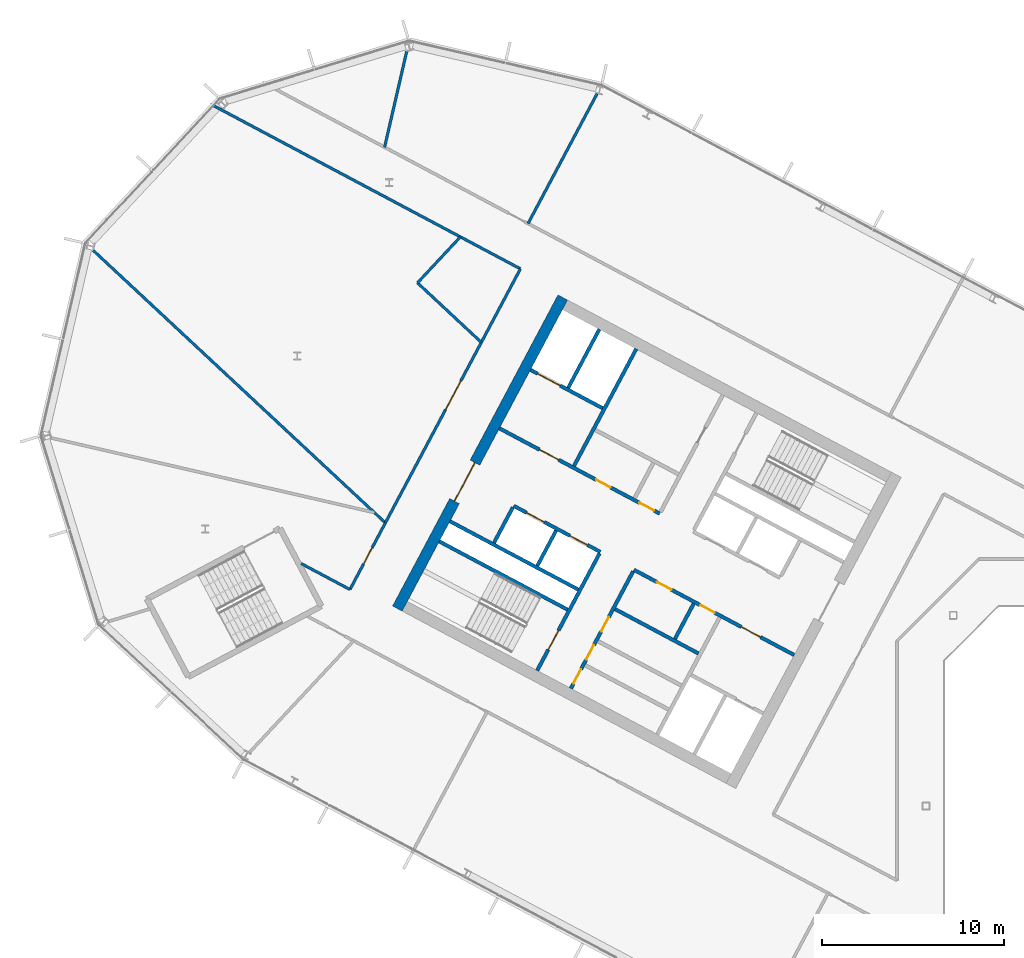
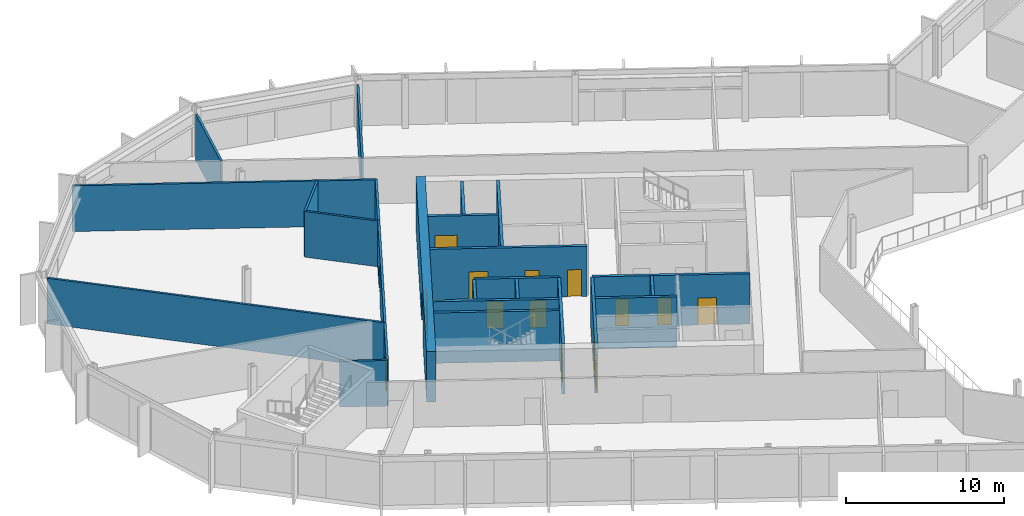
# One storey, part 13 of 26: 24 walls, 16 doors, 16 openings.
"""IFC4 building model written with IfcOpenShell, lengths in metres."""

import ifcopenshell
import ifcopenshell.guid

model = None  # the IFC model being written
_history = None  # IfcOwnerHistory: only IFC2X3 demands one
_inside = {}  # id of a spatial element -> (the spatial element, [elements in it])
_under = {}  # id of a project, library or spatial element -> (it, [spatial elements below it])
_declared = {}  # id of a project -> (the project, [libraries it declares])
_typed = {}  # id of a type object -> (the type object, [elements of that type])
_made_of = {}  # id of a material, layer set ... -> (it, [elements and type objects made of it])


def new_model(schema):
    """Start an empty IFC model of exactly this schema.

    Asked for "IFC4X3", IfcOpenShell would pick the latest addendum, in which some entities
    have other attributes; the version numbers below select the first issue.
    IFC2X3 requires an IfcOwnerHistory on every rooted entity: one is made here for all.
    """
    global model, _history
    if schema == "IFC4X3":
        model = ifcopenshell.file(schema_version=(4, 3, 0, 0))
    else:
        model = ifcopenshell.file(schema=schema)
    _inside.clear()
    _under.clear()
    _declared.clear()
    _typed.clear()
    _made_of.clear()
    _history = None
    if model.schema == "IFC2X3":
        org = make("IfcOrganization", Name="unknown")
        user = make(
            "IfcPersonAndOrganization",
            ThePerson=make("IfcPerson", FamilyName="unknown"),
            TheOrganization=org,
        )
        app = make(
            "IfcApplication",
            ApplicationDeveloper=org,
            Version="unknown",
            ApplicationFullName="unknown",
            ApplicationIdentifier="unknown",
        )
        _history = make(
            "IfcOwnerHistory",
            OwningUser=user,
            OwningApplication=app,
            ChangeAction="ADDED",
            CreationDate=0,
        )
    return model


def make(cls, **values):
    """One entity of the class cls with the attributes given. An attribute that is None is left unset."""
    return model.create_entity(
        cls, **{name: value for name, value in values.items() if value is not None}
    )


def rooted(cls, **values):
    """An entity with a GlobalId (a new one), such as an element, a storey or a relation."""
    return make(cls, GlobalId=ifcopenshell.guid.new(), OwnerHistory=_history, **values)


def si_unit(unit_type, name, prefix=None):
    """IfcSIUnit, for example si_unit("LENGTHUNIT", "METRE", prefix="MILLI")."""
    return make("IfcSIUnit", UnitType=unit_type, Prefix=prefix, Name=name)


def assignment(units):
    """IfcUnitAssignment: the units of a project."""
    return None if units is None else make("IfcUnitAssignment", Units=units)


def point(xyz):
    """IfcCartesianPoint."""
    return None if xyz is None else make("IfcCartesianPoint", Coordinates=xyz)


def direction(xyz):
    """IfcDirection."""
    return None if xyz is None else make("IfcDirection", DirectionRatios=xyz)


def frame(location, z_axis=None, x_axis=None):
    """IfcAxis2Placement3D, a coordinate frame: its origin and axes. An axis left out is left unset."""
    return make(
        "IfcAxis2Placement3D",
        Location=point(location),
        Axis=direction(z_axis),
        RefDirection=direction(x_axis),
    )


def frame_2d(location, x_axis=None):
    """IfcAxis2Placement2D, a coordinate frame in the plane: its origin and x axis."""
    return make(
        "IfcAxis2Placement2D", Location=point(location), RefDirection=direction(x_axis)
    )


def origin():
    """The frame at (0, 0, 0) with its axes left unset."""
    return frame((0.0, 0.0, 0.0))


def place(relative_to, where):
    """IfcLocalPlacement: puts the frame where relative to a parent placement (None: the world)."""
    return make(
        "IfcLocalPlacement", PlacementRelTo=relative_to, RelativePlacement=where
    )


def context(
    kind, dimensions, precision=None, world=None, true_north=None, identifier=None
):
    """IfcGeometricRepresentationContext, for example the 3D "Model" context."""
    return make(
        "IfcGeometricRepresentationContext",
        ContextIdentifier=identifier,
        ContextType=kind,
        CoordinateSpaceDimension=dimensions,
        Precision=precision,
        WorldCoordinateSystem=world,
        TrueNorth=true_north,
    )


def subcontext(parent, identifier, kind, view, scale=None):
    """IfcGeometricRepresentationSubContext, for example "Body" below "Model"."""
    return make(
        "IfcGeometricRepresentationSubContext",
        ContextIdentifier=identifier,
        ContextType=kind,
        ParentContext=parent,
        TargetScale=scale,
        TargetView=view,
    )


def project(units=None, contexts=None):
    """IfcProject with its units and contexts."""
    return rooted(
        "IfcProject",
        Name="project",
        RepresentationContexts=contexts,
        UnitsInContext=assignment(units),
    )


def spatial(cls, under=None, at=None, **own):
    """A site, building, storey or space (cls), placed at a placement, below another one or the project."""
    s = rooted(cls, ObjectPlacement=at, **own)
    if under is not None:
        _under.setdefault(under.id(), (under, []))[1].append(s)
    return s


def profile(cls, at=None, kind="AREA", **sizes):
    """A parametric profile (cls). Its sizes go by their IFC names, for example OverallWidth=200.0."""
    return make(cls, ProfileType=kind, Position=at, **sizes)


def rectangle(**sizes):
    """IfcRectangleProfileDef."""
    return profile("IfcRectangleProfileDef", **sizes)


def extrude(swept, where, along, depth):
    """IfcExtrudedAreaSolid: the profile swept, set in the frame where, extruded along a direction by depth."""
    return make(
        "IfcExtrudedAreaSolid",
        SweptArea=swept,
        Position=where,
        ExtrudedDirection=direction(along),
        Depth=depth,
    )


def shape(context_of_items, identifier, shape_type, items):
    """IfcShapeRepresentation: the items that make up one representation, for example the "Body"."""
    return make(
        "IfcShapeRepresentation",
        ContextOfItems=context_of_items,
        RepresentationIdentifier=identifier,
        RepresentationType=shape_type,
        Items=items,
    )


def material(Name=None, Category=None):
    """IfcMaterial."""
    return make("IfcMaterial", Name=Name, Category=Category)


def layer(
    of_material, thickness, ventilated=None, Name=None, Category=None, Priority=None
):
    """IfcMaterialLayer: one layer of a wall or slab, of a material (None: an air gap)."""
    return make(
        "IfcMaterialLayer",
        Material=of_material,
        LayerThickness=thickness,
        IsVentilated=ventilated,
        Name=Name,
        Category=Category,
        Priority=Priority,
    )


def layer_set(layers, Name=None):
    """IfcMaterialLayerSet."""
    return make("IfcMaterialLayerSet", MaterialLayers=layers, LayerSetName=Name)


def made_of(thing, what):
    """Note that an element or type object is made of a material, layer set ...; save() writes the relation."""
    if what is not None:
        _made_of.setdefault(what.id(), (what, []))[1].append(thing)
    return thing


def type_object(cls, material=None, **own):
    """A type object (cls), such as IfcWallType, which elements share."""
    return made_of(rooted(cls, **own), material)


def element(
    cls,
    number,
    at=None,
    inside=None,
    cuts=None,
    type_object=None,
    material=None,
    context=None,
    identifier="Body",
    shape_type=None,
    held_by="IfcProductDefinitionShape",
    body=None,
    shapes=None,
    **own,
):
    """One element of the class cls, such as IfcWall. Its Tag is "e" and its number.

    at: its placement. inside: the storey or other place that contains it. cuts: it is an
    opening in that element (IfcRelVoidsElement). A single representation is given by context,
    identifier, shape_type and body (its items); several are given by shapes. held_by: the class
    of the entity that holds the representations. save() writes the other relations.
    """
    e = rooted(cls, Tag="e%d" % number, ObjectPlacement=at, **own)
    if body is not None:
        shapes = [shape(context, identifier, shape_type, body)]
    if shapes is not None:
        e.Representation = make(held_by, Representations=shapes)
    if inside is not None:
        _inside.setdefault(inside.id(), (inside, []))[1].append(e)
    if cuts is not None:
        rooted(
            "IfcRelVoidsElement", RelatingBuildingElement=cuts, RelatedOpeningElement=e
        )
    if type_object is not None:
        _typed.setdefault(type_object.id(), (type_object, []))[1].append(e)
    return made_of(e, material)


def fill(opening, filler):
    """IfcRelFillsElement: the door or window that sits in an opening."""
    return rooted(
        "IfcRelFillsElement",
        RelatingOpeningElement=opening,
        RelatedBuildingElement=filler,
    )


def aggregate(whole, parts):
    """IfcRelAggregates: a whole, such as a stair, and the parts it consists of."""
    return rooted("IfcRelAggregates", RelatingObject=whole, RelatedObjects=parts)


def save(model, path):
    """Write the relations noted so far, then the file.

    IfcRelAggregates (storeys below a building ...), IfcRelContainedInSpatialStructure (elements
    in a storey), IfcRelDefinesByType, IfcRelAssociatesMaterial and IfcRelDeclares: one each for
    every whole, place, type object, material and project.
    """
    for whole, parts in _under.values():
        aggregate(whole, parts)
    for where, things in _inside.values():
        rooted(
            "IfcRelContainedInSpatialStructure",
            RelatedElements=things,
            RelatingStructure=where,
        )
    for kind, things in _typed.values():
        rooted("IfcRelDefinesByType", RelatedObjects=things, RelatingType=kind)
    for what, things in _made_of.values():
        rooted("IfcRelAssociatesMaterial", RelatedObjects=things, RelatingMaterial=what)
    for by, libraries in _declared.values():
        rooted("IfcRelDeclares", RelatingContext=by, RelatedDefinitions=libraries)
    model.write(path)


model = new_model("IFC4")

# Units and contexts
model_context = context("Model", 3, precision=1e-05, world=origin(), true_north=direction((0.0, 1.0)))
body_context = subcontext(model_context, "Body", "Model", "MODEL_VIEW")
ifc_project = project(units=[si_unit("LENGTHUNIT", "METRE"), si_unit("AREAUNIT", "SQUARE_METRE"), si_unit("VOLUMEUNIT", "CUBIC_METRE"), si_unit("PLANEANGLEUNIT", "RADIAN"), si_unit("MASSUNIT", "GRAM", prefix="KILO")], contexts=[model_context])

# Site, building, storey
site_placement = place(None, origin())
site = spatial("IfcSite", under=ifc_project, at=site_placement, CompositionType="ELEMENT")
building_placement = place(site_placement, origin())
building = spatial("IfcBuilding", under=site, at=building_placement, Name="Cormorant Relay Tower", CompositionType="ELEMENT")
storey_placement = place(building_placement, frame((0.0, 0.0, 236.39990234375)))
storey = spatial("IfcBuildingStorey", under=building, at=storey_placement, Name="L52", CompositionType="ELEMENT", Elevation=236.39990234375)

# Walls
ifc_material_1 = material(Name="Concrete 40 MPa", Category="concrete")
ifc_layer_1 = layer(ifc_material_1, 0.199951171875)
ifc_layer_set_1 = layer_set([ifc_layer_1], Name="Core internal wall 200")
wall_type_1 = type_object("IfcWallType", Name="Core internal wall 200", PredefinedType="SOLIDWALL", material=ifc_layer_set_1)
for number, where, z_axis, x_axis, name in (
    (1, (-24.79052734375, 11.142822265625, 0.0), (0.0, 0.0, 1.0), (-0.469487830541, -0.882938942948, 0.0), "L52 core A shaft and room wall"),
    (2, (-32.3662109375, 15.1708984375, 0.0), (0.0, 0.0, 1.0), (-0.469487830541, -0.882938942948, 0.0), "L52 core A shaft and room wall"),
):
    element("IfcWall", number, at=place(storey_placement, frame(where, z_axis=z_axis, x_axis=x_axis)), inside=storey, type_object=wall_type_1, Name=name, PredefinedType="SOLIDWALL", context=body_context, shape_type="SweptSolid", body=[
        extrude(rectangle(XDim=2.2001953125, YDim=0.199951171875, at=frame_2d((1.10009765625, 0.0))), origin(), (0.0, 0.0, 1.0), 3.900146484375),
    ])

# Wall, openings, doors
ifc_material_2 = material(Name="Concrete 50 MPa", Category="concrete")
ifc_layer_2 = layer(ifc_material_2, 0.199951171875)
ifc_layer_set_2 = layer_set([ifc_layer_2], Name="Core shaft wall 200")
wall_type_2 = type_object("IfcWallType", Name="Core shaft wall 200", PredefinedType="SHEAR", material=ifc_layer_set_2)
wall_1_placement = place(storey_placement, frame((-28.128173828125, 12.91748046875, 0.0), z_axis=(0.0, 0.0, 1.0), x_axis=(-0.469454336211, -0.882956752176, 0.0)))
wall_1 = element("IfcWall", 3, at=wall_1_placement, inside=storey, type_object=wall_type_2, Name="L52 core A shaft wall", PredefinedType="SHEAR", context=body_context, shape_type="SweptSolid", body=[
    extrude(rectangle(XDim=7.300048828125, YDim=0.199951171875, at=frame_2d((3.64990234375, 0.0))), origin(), (0.0, 0.0, 1.0), 3.900146484375),
])
opening_1_placement = place(wall_1_placement, frame((2.85009765625, 0.0, 0.0)))
opening_1 = element("IfcOpeningElement", 4, at=opening_1_placement, cuts=wall_1, Name="Opening CDD-289", PredefinedType="OPENING", context=body_context, shape_type="SweptSolid", body=[
    extrude(rectangle(XDim=0.89990234375, YDim=2.10009765625, at=frame_2d((0.449951171875, 1.050048828125))), frame((0.0, 0.10986328125, 0.0), z_axis=(0.0, -1.0, 0.0), x_axis=(1.0, 0.0, 0.0)), (0.0, 0.0, 1.0), 0.219970703125),
])
opening_2_placement = place(wall_1_placement, frame((4.60009765625, 0.0, 0.0)))
opening_2 = element("IfcOpeningElement", 5, at=opening_2_placement, cuts=wall_1, Name="Opening CDD-290", PredefinedType="OPENING", context=body_context, shape_type="SweptSolid", body=[
    extrude(rectangle(XDim=0.89990234375, YDim=2.10009765625, at=frame_2d((0.449951171875, 1.050048828125))), frame((0.0, 0.10986328125, 0.0), z_axis=(0.0, -1.0, 0.0), x_axis=(1.0, 0.0, 0.0)), (0.0, 0.0, 1.0), 0.219970703125),
])
opening_3_placement = place(wall_1_placement, frame((6.10009765625, 0.0, 0.0)))
opening_3 = element("IfcOpeningElement", 6, at=opening_3_placement, cuts=wall_1, Name="Opening CDD-291", PredefinedType="OPENING", context=body_context, shape_type="SweptSolid", body=[
    extrude(rectangle(XDim=0.89990234375, YDim=2.10009765625, at=frame_2d((0.449951171875, 1.050048828125))), frame((0.0, 0.10986328125, 0.0), z_axis=(0.0, -1.0, 0.0), x_axis=(1.0, 0.0, 0.0)), (0.0, 0.0, 1.0), 0.219970703125),
])
ifc_material_3 = material(Name="Steel fire door", Category="steel")
door_type_1 = type_object("IfcDoorType", Name="Core room door 900x2100", OperationType="SINGLE_SWING_LEFT", PredefinedType="DOOR", material=ifc_material_3)
door_1_placement = place(opening_1_placement, origin())
door_1 = element("IfcDoor", 7, at=door_1_placement, inside=storey, type_object=door_type_1, Name="Core room door 900x2100", OperationType="SINGLE_SWING_LEFT", OverallHeight=2.10009765625, OverallWidth=0.89990234375, PredefinedType="DOOR", context=body_context, shape_type="SweptSolid", body=[
    extrude(rectangle(XDim=0.89990234375, YDim=2.10009765625, at=frame_2d((0.449951171875, 1.050048828125))), frame((0.0, 0.02490234375, 0.0), z_axis=(0.0, -1.0, 0.0), x_axis=(1.0, 0.0, 0.0)), (0.0, 0.0, 1.0), 0.050048828125),
])
fill(opening_1, door_1)
door_2_placement = place(opening_2_placement, origin())
door_2 = element("IfcDoor", 8, at=door_2_placement, inside=storey, type_object=door_type_1, Name="Core room door 900x2100", OperationType="SINGLE_SWING_LEFT", OverallHeight=2.10009765625, OverallWidth=0.89990234375, PredefinedType="DOOR", context=body_context, shape_type="SweptSolid", body=[
    extrude(rectangle(XDim=0.89990234375, YDim=2.10009765625, at=frame_2d((0.449951171875, 1.050048828125))), frame((0.0, 0.02490234375, 0.0), z_axis=(0.0, -1.0, 0.0), x_axis=(1.0, 0.0, 0.0)), (0.0, 0.0, 1.0), 0.050048828125),
])
fill(opening_2, door_2)
door_3_placement = place(opening_3_placement, origin())
door_3 = element("IfcDoor", 9, at=door_3_placement, inside=storey, type_object=door_type_1, Name="Core room door 900x2100", OperationType="SINGLE_SWING_LEFT", OverallHeight=2.10009765625, OverallWidth=0.89990234375, PredefinedType="DOOR", context=body_context, shape_type="SweptSolid", body=[
    extrude(rectangle(XDim=0.89990234375, YDim=2.10009765625, at=frame_2d((0.449951171875, 1.050048828125))), frame((0.0, 0.02490234375, 0.0), z_axis=(0.0, -1.0, 0.0), x_axis=(1.0, 0.0, 0.0)), (0.0, 0.0, 1.0), 0.050048828125),
])
fill(opening_3, door_3)

# Wall, opening, door
wall_2_placement = place(storey_placement, frame((-29.982421875, 13.9033203125, 0.0), z_axis=(0.0, 0.0, 1.0), x_axis=(-0.469454336211, -0.882956752176, 0.0)))
wall_2 = element("IfcWall", 10, at=wall_2_placement, inside=storey, type_object=wall_type_2, Name="L52 core A shaft wall", PredefinedType="SHEAR", context=body_context, shape_type="SweptSolid", body=[
    extrude(rectangle(XDim=7.300048828125, YDim=0.199951171875, at=frame_2d((3.64990234375, 0.0))), origin(), (0.0, 0.0, 1.0), 3.900146484375),
])
opening_4_placement = place(wall_2_placement, frame((4.800048828125, 0.0, 0.0)))
opening_4 = element("IfcOpeningElement", 11, at=opening_4_placement, cuts=wall_2, Name="Opening CDB-039", PredefinedType="OPENING", context=body_context, shape_type="SweptSolid", body=[
    extrude(rectangle(XDim=1.199951171875, YDim=2.10009765625, at=frame_2d((0.60009765625, 1.050048828125))), frame((0.0, 0.10986328125, 0.0), z_axis=(0.0, -1.0, 0.0), x_axis=(1.0, 0.0, 0.0)), (0.0, 0.0, 1.0), 0.219970703125),
])
ifc_material_4 = material(Name="Steel fire door", Category="steel")
door_type_2 = type_object("IfcDoorType", Name="Core stair door 1200x2100", OperationType="SINGLE_SWING_LEFT", PredefinedType="DOOR", material=ifc_material_4)
door_4_placement = place(opening_4_placement, frame((1.199951171875, 0.0, 0.0), z_axis=(0.0, 0.0, 1.0), x_axis=(-1.0, 0.0, 0.0)))
door_4 = element("IfcDoor", 12, at=door_4_placement, inside=storey, type_object=door_type_2, Name="Core stair door 1200x2100", OperationType="SINGLE_SWING_RIGHT", OverallHeight=2.10009765625, OverallWidth=1.199951171875, PredefinedType="DOOR", context=body_context, shape_type="SweptSolid", body=[
    extrude(rectangle(XDim=1.199951171875, YDim=2.10009765625, at=frame_2d((0.60009765625, 1.050048828125))), frame((0.0, 0.02490234375, 0.0), z_axis=(0.0, -1.0, 0.0), x_axis=(1.0, 0.0, 0.0)), (0.0, 0.0, 1.0), 0.050048828125),
])
fill(opening_4, door_4)

# Walls
wall_3_placement = place(storey_placement, frame((-27.955322265625, 25.170654296875, 0.0), z_axis=(0.0, 0.0, 1.0), x_axis=(-0.469480409012, -0.88294288918, 0.0)))
element("IfcWall", 13, at=wall_3_placement, inside=storey, type_object=wall_type_2, Name="L52 core A shaft wall", PredefinedType="SHEAR", context=body_context, shape_type="SweptSolid", body=[
    extrude(rectangle(XDim=7.300048828125, YDim=0.199951171875, at=frame_2d((3.64990234375, 0.0))), origin(), (0.0, 0.0, 1.0), 3.900146484375),
])
wall_4_placement = place(storey_placement, frame((-34.750244140625, 16.4384765625, 0.0), z_axis=(0.0, 0.0, 1.0), x_axis=(-0.469401318492, -0.882984938828, 0.0)))
element("IfcWall", 14, at=wall_4_placement, inside=storey, type_object=wall_type_2, Name="L52 core A shaft wall", PredefinedType="SHEAR", context=body_context, shape_type="SweptSolid", body=[
    extrude(rectangle(XDim=2.199951171875, YDim=0.199951171875, at=frame_2d((1.10009765625, 0.0))), origin(), (0.0, 0.0, 1.0), 3.900146484375),
])
wall_5_placement = place(storey_placement, frame((-29.986083984375, 26.250244140625, 0.0), z_axis=(0.0, 0.0, 1.0), x_axis=(-0.469494272526, -0.882935517501, 0.0)))
element("IfcWall", 15, at=wall_5_placement, inside=storey, type_object=wall_type_2, Name="L52 core A shaft wall", PredefinedType="SHEAR", context=body_context, shape_type="SweptSolid", body=[
    extrude(rectangle(XDim=3.64990234375, YDim=0.199951171875, at=frame_2d((1.824951171875, 0.0))), origin(), (0.0, 0.0, 1.0), 3.900146484375),
])

# Wall, opening, door
wall_6_placement = place(storey_placement, frame((-29.80419921875, 21.906494140625, 0.0), z_axis=(0.0, 0.0, 1.0), x_axis=(-0.882960433586, 0.469447412093, 0.0)))
wall_6 = element("IfcWall", 16, at=wall_6_placement, inside=storey, type_object=wall_type_2, Name="L52 core A shaft wall", PredefinedType="SHEAR", context=body_context, shape_type="SweptSolid", body=[
    extrude(rectangle(XDim=4.5, YDim=0.199951171875, at=frame_2d((2.25, 0.0))), origin(), (0.0, 0.0, 1.0), 3.900146484375),
])
opening_5_placement = place(wall_6_placement, frame((2.64990234375, 0.0, 0.0)))
opening_5 = element("IfcOpeningElement", 17, at=opening_5_placement, cuts=wall_6, Name="Opening LD3-015", PredefinedType="OPENING", context=body_context, shape_type="SweptSolid", body=[
    extrude(rectangle(XDim=1.39990234375, YDim=2.39990234375, at=frame_2d((0.699951171875, 1.199951171875))), frame((0.0, 0.10986328125, 0.0), z_axis=(0.0, -1.0, 0.0), x_axis=(1.0, 0.0, 0.0)), (0.0, 0.0, 1.0), 0.219970703125),
])
ifc_material_5 = material(Name="Stainless steel 316", Category="steel")
door_type_3 = type_object("IfcDoorType", Name="Lift landing door 1400x2400", OperationType="DOUBLE_DOOR_SLIDING", PredefinedType="DOOR", material=ifc_material_5)
door_5_placement = place(opening_5_placement, origin())
door_5 = element("IfcDoor", 18, at=door_5_placement, inside=storey, type_object=door_type_3, Name="SV1 landing door", OperationType="DOUBLE_DOOR_SLIDING", OverallHeight=2.39990234375, OverallWidth=1.39990234375, PredefinedType="DOOR", context=body_context, shape_type="SweptSolid", body=[
    extrude(rectangle(XDim=1.39990234375, YDim=2.39990234375, at=frame_2d((0.699951171875, 1.199951171875))), frame((0.0, 0.02490234375, 0.0), z_axis=(0.0, -1.0, 0.0), x_axis=(1.0, 0.0, 0.0)), (0.0, 0.0, 1.0), 0.050048828125),
])
fill(opening_5, door_5)

# Wall, openings, doors
wall_7_placement = place(storey_placement, frame((-26.66162109375, 16.1015625, 0.0), z_axis=(0.0, 0.0, 1.0), x_axis=(-0.882940221191, 0.469485426614, 0.0)))
wall_7 = element("IfcWall", 19, at=wall_7_placement, inside=storey, type_object=wall_type_2, Name="L52 core A shaft wall", PredefinedType="SHEAR", context=body_context, shape_type="SweptSolid", body=[
    extrude(rectangle(XDim=10.0, YDim=0.199951171875, at=frame_2d((5.0, 0.0))), origin(), (0.0, 0.0, 1.0), 3.900146484375),
])
opening_6_placement = place(wall_7_placement, frame((6.300048828125, 0.0, 0.0)))
opening_6 = element("IfcOpeningElement", 20, at=opening_6_placement, cuts=wall_7, Name="Opening CDC-034", PredefinedType="OPENING", context=body_context, shape_type="SweptSolid", body=[
    extrude(rectangle(XDim=1.199951171875, YDim=2.10009765625, at=frame_2d((0.60009765625, 1.050048828125))), frame((0.0, 0.10986328125, 0.0), z_axis=(0.0, -1.0, 0.0), x_axis=(1.0, 0.0, 0.0)), (0.0, 0.0, 1.0), 0.219970703125),
])
opening_7_placement = place(wall_7_placement, frame((0.360107421875, 0.0, 0.0)))
opening_7 = element("IfcOpeningElement", 21, at=opening_7_placement, cuts=wall_7, Name="Opening CDD-234", PredefinedType="OPENING", context=body_context, shape_type="SweptSolid", body=[
    extrude(rectangle(XDim=0.89990234375, YDim=2.10009765625, at=frame_2d((0.449951171875, 1.050048828125))), frame((0.0, 0.10986328125, 0.0), z_axis=(0.0, -1.0, 0.0), x_axis=(1.0, 0.0, 0.0)), (0.0, 0.0, 1.0), 0.219970703125),
])
opening_8_placement = place(wall_7_placement, frame((3.06005859375, 0.0, 0.0)))
opening_8 = element("IfcOpeningElement", 22, at=opening_8_placement, cuts=wall_7, Name="Opening CDD-288", PredefinedType="OPENING", context=body_context, shape_type="SweptSolid", body=[
    extrude(rectangle(XDim=0.89990234375, YDim=2.10009765625, at=frame_2d((0.449951171875, 1.050048828125))), frame((0.0, 0.10986328125, 0.0), z_axis=(0.0, -1.0, 0.0), x_axis=(1.0, 0.0, 0.0)), (0.0, 0.0, 1.0), 0.219970703125),
])
ifc_material_6 = material(Name="Steel fire door", Category="steel")
door_type_4 = type_object("IfcDoorType", Name="Core lobby door 1200x2100", OperationType="SINGLE_SWING_LEFT", PredefinedType="DOOR", material=ifc_material_6)
door_6_placement = place(opening_6_placement, origin())
door_6 = element("IfcDoor", 23, at=door_6_placement, inside=storey, type_object=door_type_4, Name="Core lobby door 1200x2100", OperationType="SINGLE_SWING_LEFT", OverallHeight=2.10009765625, OverallWidth=1.199951171875, PredefinedType="DOOR", context=body_context, shape_type="SweptSolid", body=[
    extrude(rectangle(XDim=1.199951171875, YDim=2.10009765625, at=frame_2d((0.60009765625, 1.050048828125))), frame((0.0, 0.02490234375, 0.0), z_axis=(0.0, -1.0, 0.0), x_axis=(1.0, 0.0, 0.0)), (0.0, 0.0, 1.0), 0.050048828125),
])
fill(opening_6, door_6)
door_7_placement = place(opening_7_placement, frame((0.89990234375, 0.0, 0.0), z_axis=(0.0, 0.0, 1.0), x_axis=(-1.0, 0.0, 0.0)))
door_7 = element("IfcDoor", 24, at=door_7_placement, inside=storey, type_object=door_type_1, Name="Core room door 900x2100", OperationType="SINGLE_SWING_RIGHT", OverallHeight=2.10009765625, OverallWidth=0.89990234375, PredefinedType="DOOR", context=body_context, shape_type="SweptSolid", body=[
    extrude(rectangle(XDim=0.89990234375, YDim=2.10009765625, at=frame_2d((0.449951171875, 1.050048828125))), frame((0.0, 0.02490234375, 0.0), z_axis=(0.0, -1.0, 0.0), x_axis=(1.0, 0.0, 0.0)), (0.0, 0.0, 1.0), 0.050048828125),
])
fill(opening_7, door_7)
door_8_placement = place(opening_8_placement, origin())
door_8 = element("IfcDoor", 25, at=door_8_placement, inside=storey, type_object=door_type_1, Name="Core room door 900x2100", OperationType="SINGLE_SWING_LEFT", OverallHeight=2.10009765625, OverallWidth=0.89990234375, PredefinedType="DOOR", context=body_context, shape_type="SweptSolid", body=[
    extrude(rectangle(XDim=0.89990234375, YDim=2.10009765625, at=frame_2d((0.449951171875, 1.050048828125))), frame((0.0, 0.02490234375, 0.0), z_axis=(0.0, -1.0, 0.0), x_axis=(1.0, 0.0, 0.0)), (0.0, 0.0, 1.0), 0.050048828125),
])
fill(opening_8, door_8)

wall_8_placement = place(storey_placement, frame((-19.251708984375, 8.31103515625, 0.0), z_axis=(0.0, 0.0, 1.0), x_axis=(-0.882955722218, 0.469456273365, 0.0)))
wall_8 = element("IfcWall", 26, at=wall_8_placement, inside=storey, type_object=wall_type_2, Name="L52 core A shaft wall", PredefinedType="SHEAR", context=body_context, shape_type="SweptSolid", body=[
    extrude(rectangle(XDim=10.0, YDim=0.199951171875, at=frame_2d((5.0, 0.0))), origin(), (0.0, 0.0, 1.0), 3.900146484375),
])
opening_9_placement = place(wall_8_placement, frame((2.10009765625, 0.0, 0.0)))
opening_9 = element("IfcOpeningElement", 27, at=opening_9_placement, cuts=wall_8, Name="Opening CDC-033", PredefinedType="OPENING", context=body_context, shape_type="SweptSolid", body=[
    extrude(rectangle(XDim=1.199951171875, YDim=2.10009765625, at=frame_2d((0.60009765625, 1.050048828125))), frame((0.0, 0.10986328125, 0.0), z_axis=(0.0, -1.0, 0.0), x_axis=(1.0, 0.0, 0.0)), (0.0, 0.0, 1.0), 0.219970703125),
])
opening_10_placement = place(wall_8_placement, frame((4.9599609375, 0.0, 0.0)))
opening_10 = element("IfcOpeningElement", 28, at=opening_10_placement, cuts=wall_8, Name="Opening CDD-232", PredefinedType="OPENING", context=body_context, shape_type="SweptSolid", body=[
    extrude(rectangle(XDim=0.89990234375, YDim=2.10009765625, at=frame_2d((0.449951171875, 1.050048828125))), frame((0.0, 0.10986328125, 0.0), z_axis=(0.0, -1.0, 0.0), x_axis=(1.0, 0.0, 0.0)), (0.0, 0.0, 1.0), 0.219970703125),
])
opening_11_placement = place(wall_8_placement, frame((7.659912109375, 0.0, 0.0)))
opening_11 = element("IfcOpeningElement", 29, at=opening_11_placement, cuts=wall_8, Name="Opening CDD-233", PredefinedType="OPENING", context=body_context, shape_type="SweptSolid", body=[
    extrude(rectangle(XDim=0.89990234375, YDim=2.10009765625, at=frame_2d((0.449951171875, 1.050048828125))), frame((0.0, 0.10986328125, 0.0), z_axis=(0.0, -1.0, 0.0), x_axis=(1.0, 0.0, 0.0)), (0.0, 0.0, 1.0), 0.219970703125),
])
door_9_placement = place(opening_9_placement, origin())
door_9 = element("IfcDoor", 30, at=door_9_placement, inside=storey, type_object=door_type_4, Name="Core lobby door 1200x2100", OperationType="SINGLE_SWING_RIGHT", OverallHeight=2.10009765625, OverallWidth=1.199951171875, PredefinedType="DOOR", context=body_context, shape_type="SweptSolid", body=[
    extrude(rectangle(XDim=1.199951171875, YDim=2.10009765625, at=frame_2d((0.60009765625, 1.050048828125))), frame((0.0, 0.02490234375, 0.0), z_axis=(0.0, -1.0, 0.0), x_axis=(1.0, 0.0, 0.0)), (0.0, 0.0, 1.0), 0.050048828125),
])
fill(opening_9, door_9)
door_10_placement = place(opening_10_placement, origin())
door_10 = element("IfcDoor", 31, at=door_10_placement, inside=storey, type_object=door_type_1, Name="Core room door 900x2100", OperationType="SINGLE_SWING_LEFT", OverallHeight=2.10009765625, OverallWidth=0.89990234375, PredefinedType="DOOR", context=body_context, shape_type="SweptSolid", body=[
    extrude(rectangle(XDim=0.89990234375, YDim=2.10009765625, at=frame_2d((0.449951171875, 1.050048828125))), frame((0.0, 0.02490234375, 0.0), z_axis=(0.0, -1.0, 0.0), x_axis=(1.0, 0.0, 0.0)), (0.0, 0.0, 1.0), 0.050048828125),
])
fill(opening_10, door_10)
door_11_placement = place(opening_11_placement, origin())
door_11 = element("IfcDoor", 32, at=door_11_placement, inside=storey, type_object=door_type_1, Name="Core room door 900x2100", OperationType="SINGLE_SWING_LEFT", OverallHeight=2.10009765625, OverallWidth=0.89990234375, PredefinedType="DOOR", context=body_context, shape_type="SweptSolid", body=[
    extrude(rectangle(XDim=0.89990234375, YDim=2.10009765625, at=frame_2d((0.449951171875, 1.050048828125))), frame((0.0, 0.02490234375, 0.0), z_axis=(0.0, -1.0, 0.0), x_axis=(1.0, 0.0, 0.0)), (0.0, 0.0, 1.0), 0.050048828125),
])
fill(opening_11, door_11)

wall_9_placement = place(storey_placement, frame((-29.935302734375, 13.991455078125, 0.0), z_axis=(0.0, 0.0, 1.0), x_axis=(-0.882952937579, 0.469461510692, 0.0)))
wall_9 = element("IfcWall", 33, at=wall_9_placement, inside=storey, type_object=wall_type_2, Name="L52 core A shaft wall", PredefinedType="SHEAR", context=body_context, shape_type="SweptSolid", body=[
    extrude(rectangle(XDim=5.400146484375, YDim=0.199951171875, at=frame_2d((2.7001953125, 0.0))), origin(), (0.0, 0.0, 1.0), 3.900146484375),
])
opening_12_placement = place(wall_9_placement, frame((0.800048828125, 0.0, 0.0)))
opening_12 = element("IfcOpeningElement", 34, at=opening_12_placement, cuts=wall_9, Name="Opening LD1-059", PredefinedType="OPENING", context=body_context, shape_type="SweptSolid", body=[
    extrude(rectangle(XDim=1.10009765625, YDim=2.10009765625, at=frame_2d((0.550048828125, 1.050048828125))), frame((0.0, 0.10986328125, 0.0), z_axis=(0.0, -1.0, 0.0), x_axis=(1.0, 0.0, 0.0)), (0.0, 0.0, 1.0), 0.219970703125),
])
opening_13_placement = place(wall_9_placement, frame((3.5, 0.0, 0.0)))
opening_13 = element("IfcOpeningElement", 35, at=opening_13_placement, cuts=wall_9, Name="Opening LD1-060", PredefinedType="OPENING", context=body_context, shape_type="SweptSolid", body=[
    extrude(rectangle(XDim=1.10009765625, YDim=2.10009765625, at=frame_2d((0.550048828125, 1.050048828125))), frame((0.0, 0.10986328125, 0.0), z_axis=(0.0, -1.0, 0.0), x_axis=(1.0, 0.0, 0.0)), (0.0, 0.0, 1.0), 0.219970703125),
])
ifc_material_7 = material(Name="Stainless steel 316", Category="steel")
door_type_5 = type_object("IfcDoorType", Name="Lift landing door 1100x2100", OperationType="DOUBLE_DOOR_SLIDING", PredefinedType="DOOR", material=ifc_material_7)
door_12_placement = place(opening_12_placement, origin())
door_12 = element("IfcDoor", 36, at=door_12_placement, inside=storey, type_object=door_type_5, Name="MR1 landing door", OperationType="DOUBLE_DOOR_SLIDING", OverallHeight=2.10009765625, OverallWidth=1.10009765625, PredefinedType="DOOR", context=body_context, shape_type="SweptSolid", body=[
    extrude(rectangle(XDim=1.10009765625, YDim=2.10009765625, at=frame_2d((0.550048828125, 1.050048828125))), frame((0.0, 0.02490234375, 0.0), z_axis=(0.0, -1.0, 0.0), x_axis=(1.0, 0.0, 0.0)), (0.0, 0.0, 1.0), 0.050048828125),
])
fill(opening_12, door_12)
door_13_placement = place(opening_13_placement, origin())
door_13 = element("IfcDoor", 37, at=door_13_placement, inside=storey, type_object=door_type_5, Name="MR2 landing door", OperationType="DOUBLE_DOOR_SLIDING", OverallHeight=2.10009765625, OverallWidth=1.10009765625, PredefinedType="DOOR", context=body_context, shape_type="SweptSolid", body=[
    extrude(rectangle(XDim=1.10009765625, YDim=2.10009765625, at=frame_2d((0.550048828125, 1.050048828125))), frame((0.0, 0.02490234375, 0.0), z_axis=(0.0, -1.0, 0.0), x_axis=(1.0, 0.0, 0.0)), (0.0, 0.0, 1.0), 0.050048828125),
])
fill(opening_13, door_13)

# Walls
wall_10_placement = place(storey_placement, frame((-24.5283203125, 8.3984375, 0.0), z_axis=(0.0, 0.0, 1.0), x_axis=(-0.882953967957, 0.469459572775, 0.0)))
element("IfcWall", 38, at=wall_10_placement, inside=storey, type_object=wall_type_2, Name="L52 core A shaft wall", PredefinedType="SHEAR", context=body_context, shape_type="SweptSolid", body=[
    extrude(rectangle(XDim=5.199951171875, YDim=0.199951171875, at=frame_2d((2.60009765625, 0.0))), origin(), (0.0, 0.0, 1.0), 3.900146484375),
])
for number, where, z_axis, x_axis, name in (
    (39, (-31.150390625, 11.91943359375, 0.0), (0.0, 0.0, 1.0), (-0.882940221191, 0.469485426614, 0.0), "L52 core A shaft wall"),
    (40, (-31.7373046875, 10.815673828125, 0.0), (0.0, 0.0, 1.0), (-0.882940221191, 0.469485426614, 0.0), "L52 core A shaft wall"),
):
    element("IfcWall", number, at=place(storey_placement, frame(where, z_axis=z_axis, x_axis=x_axis)), inside=storey, type_object=wall_type_2, Name=name, PredefinedType="SHEAR", context=body_context, shape_type="SweptSolid", body=[
        extrude(rectangle(XDim=8.0, YDim=0.199951171875, at=frame_2d((4.0, 0.0))), origin(), (0.0, 0.0, 1.0), 3.900146484375),
    ])

# Wall, opening, door
ifc_material_8 = material(Name="Concrete 50 MPa", Category="concrete")
ifc_layer_3 = layer(ifc_material_8, 0.60009765625)
ifc_layer_set_3 = layer_set([ifc_layer_3], Name="Core wall 600")
wall_type_3 = type_object("IfcWallType", Name="Core wall 600", PredefinedType="SHEAR", material=ifc_layer_set_3)
wall_11_placement = place(storey_placement, frame((-32.000244140625, 28.000732421875, 0.0), z_axis=(0.0, 0.0, 1.0), x_axis=(-0.469468958625, -0.882948977511, 0.0)))
wall_11 = element("IfcWall", 41, at=wall_11_placement, inside=storey, type_object=wall_type_3, Name="L52 core A wall", PredefinedType="SHEAR", context=body_context, shape_type="SweptSolid", body=[
    extrude(rectangle(XDim=19.39990234375, YDim=0.60009765625, at=frame_2d((9.699951171875, 0.0))), origin(), (0.0, 0.0, 1.0), 3.900146484375),
])
opening_14_placement = place(wall_11_placement, frame((10.300048828125, 0.0, 0.0)))
opening_14 = element("IfcOpeningElement", 42, at=opening_14_placement, cuts=wall_11, Name="Opening CDA-041", PredefinedType="OPENING", context=body_context, shape_type="SweptSolid", body=[
    extrude(rectangle(XDim=2.39990234375, YDim=2.39990234375, at=frame_2d((1.199951171875, 1.199951171875))), frame((0.0, 0.31005859375, 0.0), z_axis=(0.0, -1.0, 0.0), x_axis=(1.0, 0.0, 0.0)), (0.0, 0.0, 1.0), 0.6201171875),
])
ifc_material_9 = material(Name="Steel fire door", Category="steel")
door_type_6 = type_object("IfcDoorType", Name="Core lobby door 2400x2400", OperationType="DOUBLE_DOOR_SINGLE_SWING", PredefinedType="DOOR", material=ifc_material_9)
door_14_placement = place(opening_14_placement, origin())
door_14 = element("IfcDoor", 43, at=door_14_placement, inside=storey, type_object=door_type_6, Name="Core lobby door 2400x2400", OperationType="DOUBLE_DOOR_SINGLE_SWING", OverallHeight=2.39990234375, OverallWidth=2.39990234375, PredefinedType="DOOR", context=body_context, shape_type="SweptSolid", body=[
    extrude(rectangle(XDim=2.39990234375, YDim=2.39990234375, at=frame_2d((1.199951171875, 1.199951171875))), frame((0.0, 0.02490234375, 0.0), z_axis=(0.0, -1.0, 0.0), x_axis=(1.0, 0.0, 0.0)), (0.0, 0.0, 1.0), 0.050048828125),
])
fill(opening_14, door_14)

ifc_material_10 = material(Name="Gypsum board fire partition")
ifc_layer_4 = layer(ifc_material_10, 0.14990234375)
ifc_layer_set_4 = layer_set([ifc_layer_4], Name="Corridor partition 150 EI 60")
wall_type_4 = type_object("IfcWallType", Name="Corridor partition 150 EI 60", PredefinedType="PARTITIONING", material=ifc_layer_set_4)
wall_12_placement = place(storey_placement, frame((-41.76904296875, 15.592041015625, 0.0), z_axis=(0.0, 0.0, 1.0), x_axis=(0.469444027343, 0.882962233163, 0.0)))
wall_12 = element("IfcWall", 44, at=wall_12_placement, inside=storey, type_object=wall_type_4, Name="wall/L52/part/006", PredefinedType="PARTITIONING", context=body_context, shape_type="SweptSolid", body=[
    extrude(rectangle(XDim=15.84228515625, YDim=0.14990234375, at=frame_2d((7.921142578125, 0.0))), origin(), (0.0, 0.0, 1.0), 3.5400390625),
])
opening_15_placement = place(wall_12_placement, frame((7.050048828125, 0.0, 0.0)))
opening_15 = element("IfcOpeningElement", 45, at=opening_15_placement, cuts=wall_12, Name="Opening DD-028", PredefinedType="OPENING", context=body_context, shape_type="SweptSolid", body=[
    extrude(rectangle(XDim=1.800048828125, YDim=2.10009765625, at=frame_2d((0.89990234375, 1.050048828125))), frame((0.0, 0.0849609375, 0.0), z_axis=(0.0, -1.0, 0.0), x_axis=(1.0, 0.0, 0.0)), (0.0, 0.0, 1.0), 0.169921875),
])
ifc_material_11 = material(Name="Timber door leaf", Category="wood")
door_type_7 = type_object("IfcDoorType", Name="Suite double door 1800x2100", OperationType="DOUBLE_DOOR_SINGLE_SWING", PredefinedType="DOOR", material=ifc_material_11)
door_15_placement = place(opening_15_placement, origin())
door_15 = element("IfcDoor", 46, at=door_15_placement, inside=storey, type_object=door_type_7, Name="door/L52/006", OperationType="DOUBLE_DOOR_SINGLE_SWING", OverallHeight=2.10009765625, OverallWidth=1.800048828125, PredefinedType="DOOR", context=body_context, shape_type="SweptSolid", body=[
    extrude(rectangle(XDim=1.800048828125, YDim=2.10009765625, at=frame_2d((0.89990234375, 1.050048828125))), frame((0.0, 0.02490234375, 0.0), z_axis=(0.0, -1.0, 0.0), x_axis=(1.0, 0.0, 0.0)), (0.0, 0.0, 1.0), 0.050048828125),
])
fill(opening_15, door_15)

# Walls
wall_13_placement = place(storey_placement, frame((-34.33203125, 29.580078125, 0.0), z_axis=(0.0, 0.0, 1.0), x_axis=(-0.882939350293, 0.46948706447, 0.0)))
element("IfcWall", 47, at=wall_13_placement, inside=storey, type_object=wall_type_4, Name="wall/L52/part/007", PredefinedType="PARTITIONING", context=body_context, shape_type="SweptSolid", body=[
    extrude(rectangle(XDim=19.327392578125, YDim=0.14990234375, at=frame_2d((9.66357421875, 0.0))), origin(), (0.0, 0.0, 1.0), 3.5400390625),
])
wall_14_placement = place(storey_placement, frame((-46.403076171875, 13.346923828125, 0.0), z_axis=(0.0, 0.0, 1.0), x_axis=(0.882959580004, -0.46944901755, 0.0)))
element("IfcWall", 48, at=wall_14_placement, inside=storey, type_object=wall_type_4, Name="wall/L52/part/012", PredefinedType="PARTITIONING", context=body_context, shape_type="SweptSolid", body=[
    extrude(rectangle(XDim=3.03759765625, YDim=0.14990234375, at=frame_2d((1.518798828125, 0.0))), origin(), (0.0, 0.0, 1.0), 3.5400390625),
])

# Wall, opening, door
wall_15_placement = place(storey_placement, frame((-41.76904296875, 15.592041015625, 0.0), z_axis=(0.0, 0.0, 1.0), x_axis=(-0.468884925056, -0.883259263781, 0.0)))
wall_15 = element("IfcWall", 49, at=wall_15_placement, inside=storey, type_object=wall_type_4, Name="wall/L52/part/013", PredefinedType="PARTITIONING", context=body_context, shape_type="SweptSolid", body=[
    extrude(rectangle(XDim=4.160888671875, YDim=0.14990234375, at=frame_2d((2.08056640625, 0.0))), origin(), (0.0, 0.0, 1.0), 3.5400390625),
])
opening_16_placement = place(wall_15_placement, frame((1.550048828125, 0.0, 0.0)))
opening_16 = element("IfcOpeningElement", 50, at=opening_16_placement, cuts=wall_15, Name="Opening DS-127", PredefinedType="OPENING", context=body_context, shape_type="SweptSolid", body=[
    extrude(rectangle(XDim=1.0, YDim=2.10009765625, at=frame_2d((0.5, 1.050048828125))), frame((0.0, 0.0849609375, 0.0), z_axis=(0.0, -1.0, 0.0), x_axis=(1.0, 0.0, 0.0)), (0.0, 0.0, 1.0), 0.169921875),
])
ifc_material_12 = material(Name="Timber door leaf", Category="wood")
door_type_8 = type_object("IfcDoorType", Name="Suite door 1000x2100", OperationType="SINGLE_SWING_LEFT", PredefinedType="DOOR", material=ifc_material_12)
door_16_placement = place(opening_16_placement, frame((1.0, 0.0, 0.0), z_axis=(0.0, 0.0, 1.0), x_axis=(-1.0, 0.0, 0.0)))
door_16 = element("IfcDoor", 51, at=door_16_placement, inside=storey, type_object=door_type_8, Name="door/L52/007", OperationType="SINGLE_SWING_RIGHT", OverallHeight=2.10009765625, OverallWidth=1.0, PredefinedType="DOOR", context=body_context, shape_type="SweptSolid", body=[
    extrude(rectangle(XDim=1.0, YDim=2.10009765625, at=frame_2d((0.5, 1.050048828125))), frame((0.0, 0.02490234375, 0.0), z_axis=(0.0, -1.0, 0.0), x_axis=(1.0, 0.0, 0.0)), (0.0, 0.0, 1.0), 0.050048828125),
])
fill(opening_16, door_16)

# Walls
ifc_material_13 = material(Name="Gypsum board partition")
ifc_layer_5 = layer(ifc_material_13, 0.14990234375)
ifc_layer_set_5 = layer_set([ifc_layer_5], Name="Tenant partition 150")
wall_type_5 = type_object("IfcWallType", Name="Tenant partition 150", PredefinedType="PARTITIONING", material=ifc_layer_set_5)
wall_16_placement = place(storey_placement, frame((-37.639892578125, 31.339111328125, 0.0), z_axis=(0.0, 0.0, 1.0), x_axis=(-0.681983873773, -0.731367210035, 0.0)))
element("IfcWall", 52, at=wall_16_placement, inside=storey, type_object=wall_type_5, Name="wall/L52/part/002", PredefinedType="PARTITIONING", context=body_context, shape_type="SweptSolid", body=[
    extrude(rectangle(XDim=3.460693359375, YDim=0.14990234375, at=frame_2d((1.73046875, 0.0))), origin(), (0.0, 0.0, 1.0), 3.5400390625),
])
wall_17_placement = place(storey_placement, frame((-40.0, 28.80810546875, 0.0), z_axis=(0.0, 0.0, 1.0), x_axis=(0.731313661346, -0.682041295471, 0.0)))
element("IfcWall", 53, at=wall_17_placement, inside=storey, type_object=wall_type_5, Name="wall/L52/part/003", PredefinedType="PARTITIONING", context=body_context, shape_type="SweptSolid", body=[
    extrude(rectangle(XDim=4.80615234375, YDim=0.14990234375, at=frame_2d((2.403076171875, 0.0))), origin(), (0.0, 0.0, 1.0), 3.5400390625),
])
wall_18_placement = place(storey_placement, frame((-41.76904296875, 15.593017578125, 0.0), z_axis=(0.0, 0.0, 1.0), x_axis=(-0.731378467381, 0.681971801067, 0.0)))
element("IfcWall", 54, at=wall_18_placement, inside=storey, type_object=wall_type_5, Name="wall/L52/part/004", PredefinedType="PARTITIONING", context=body_context, shape_type="SweptSolid", body=[
    extrude(rectangle(XDim=21.999267578125, YDim=0.14990234375, at=frame_2d((10.99951171875, 0.0))), origin(), (0.0, 0.0, 1.0), 3.5400390625),
])
wall_19_placement = place(storey_placement, frame((-30.10888671875, 39.22509765625, 0.0), z_axis=(0.0, 0.0, 1.0), x_axis=(-0.469490973279, -0.882937271843, 0.0)))
element("IfcWall", 55, at=wall_19_placement, inside=storey, type_object=wall_type_5, Name="wall/L52/part/015", PredefinedType="PARTITIONING", context=body_context, shape_type="SweptSolid", body=[
    extrude(rectangle(XDim=8.09814453125, YDim=0.14990234375, at=frame_2d((4.049072265625, 0.0))), origin(), (0.0, 0.0, 1.0), 3.5400390625),
])
wall_20_placement = place(storey_placement, frame((-41.81298828125, 36.27587890625, 0.0), z_axis=(0.0, 0.0, 1.0), x_axis=(0.22495163737, 0.974369930183, 0.0)))
element("IfcWall", 56, at=wall_20_placement, inside=storey, type_object=wall_type_5, Name="wall/L52/part/016", PredefinedType="PARTITIONING", context=body_context, shape_type="SweptSolid", body=[
    extrude(rectangle(XDim=5.4189453125, YDim=0.14990234375, at=frame_2d((2.70947265625, 0.0))), origin(), (0.0, 0.0, 1.0), 3.5400390625),
])

save(model, "model.ifc")
